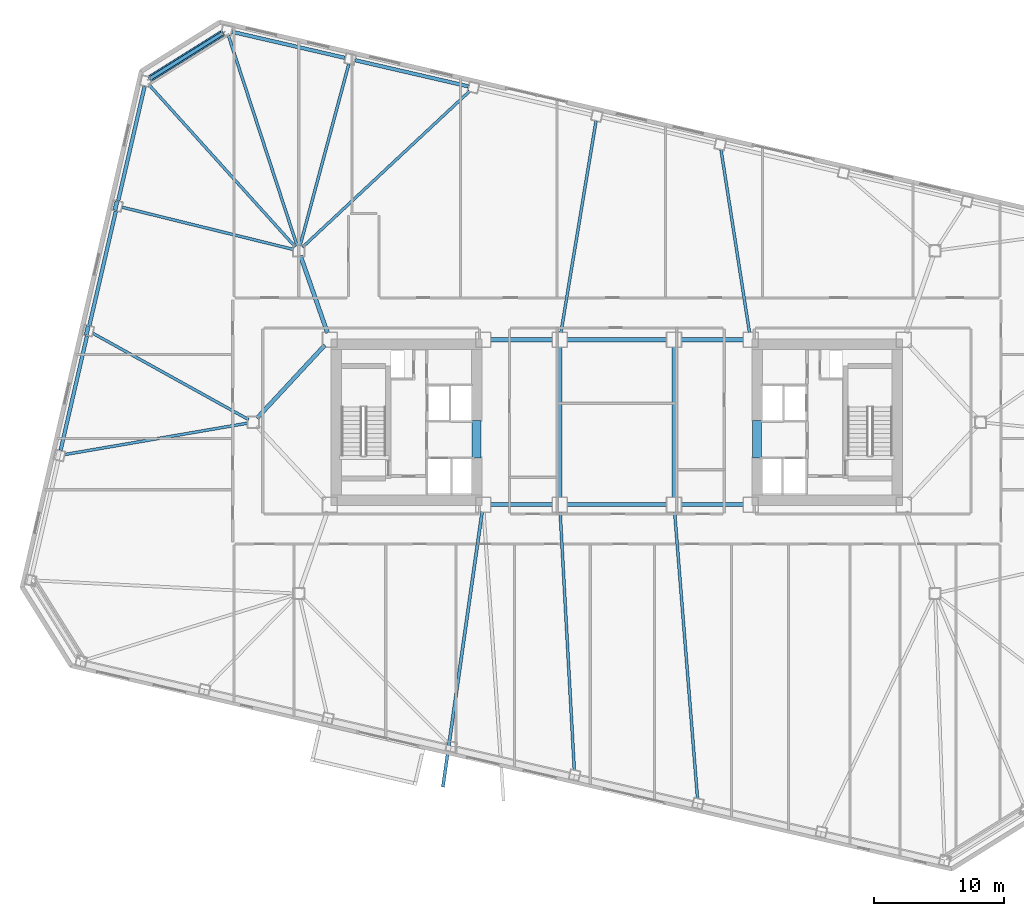
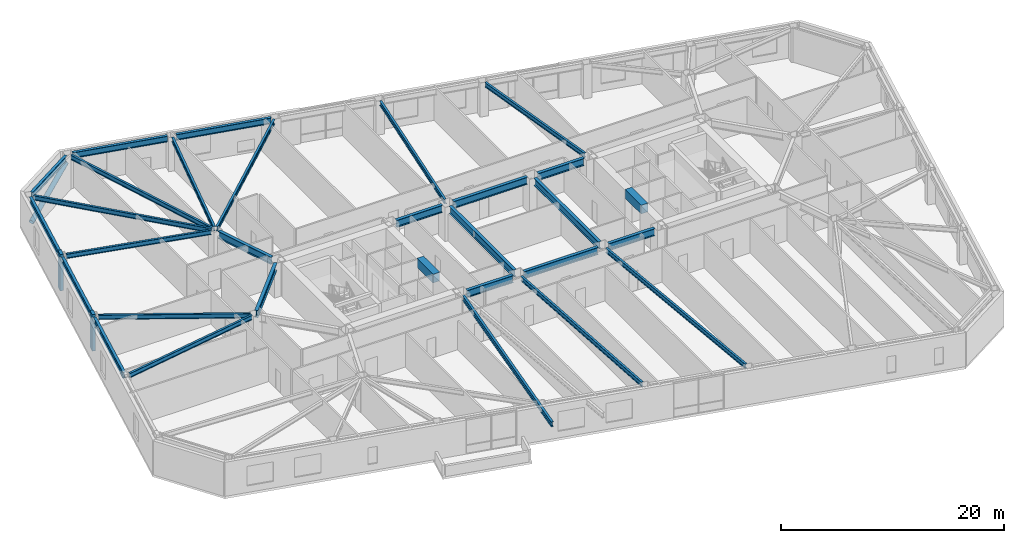
# One storey, part 7 of 22: 30 beams, 3 members.
"""IFC4 building model written with IfcOpenShell, lengths in metres."""

from ifc_helpers import new_model, si_unit, direction, frame, origin, origin_2d, place, context, subcontext, project, spatial, rectangle, hollow_circle, i_section, extrude, material, material_profile, profile_set, type_object, element, save


model = new_model("IFC4")

# Units and contexts
model_context = context("Model", 3, precision=1e-05, world=origin(), true_north=direction((0.0, 1.0)))
body_context = subcontext(model_context, "Body", "Model", "MODEL_VIEW")
ifc_project = project(units=[si_unit("LENGTHUNIT", "METRE"), si_unit("AREAUNIT", "SQUARE_METRE"), si_unit("VOLUMEUNIT", "CUBIC_METRE"), si_unit("PLANEANGLEUNIT", "RADIAN"), si_unit("MASSUNIT", "GRAM", prefix="KILO")], contexts=[model_context])

# Site, building, storey
site_placement = place(None, origin())
site = spatial("IfcSite", under=ifc_project, at=site_placement, CompositionType="ELEMENT")
building_placement = place(site_placement, origin())
building = spatial("IfcBuilding", under=site, at=building_placement, Name="Tavrogorsk Clinical Tower", CompositionType="ELEMENT")
storey_placement = place(building_placement, frame((0.0, 0.0, 55.39990234375)))
storey = spatial("IfcBuildingStorey", under=building, at=storey_placement, Name="L11", CompositionType="ELEMENT", Elevation=55.39990234375)

# Beams
ifc_material_1 = material(Name="Concrete B80", Category="concrete")
ifc_material_profile_1 = material_profile(ifc_material_1, rectangle(XDim=0.699951171875, YDim=0.949951171875, at=origin_2d()), Name="RC-CB-700x950")
ifc_profile_set_1 = profile_set([ifc_material_profile_1], Name="Concrete B80")
beam_type_1 = type_object("IfcBeamType", Name="CouplingBeam_RC700x950", PredefinedType="LINTEL", material=ifc_profile_set_1)
for number, where, z_axis, x_axis, name in (
    (1, (-10.800048828125, -2.75, 3.26513671875), (0.0, 1.0, 0.0), (-1.0, 0.0, 0.0), "L11 Core West Coupling Beam"),
    (2, (10.800048828125, -2.75, 3.26513671875), (0.0, 1.0, 0.0), (-1.0, 0.0, 0.0), "L11 Core East Coupling Beam"),
):
    element("IfcBeam", number, at=place(storey_placement, frame(where, z_axis=z_axis, x_axis=x_axis)), inside=storey, type_object=beam_type_1, Name=name, PredefinedType="LINTEL", context=body_context, shape_type="SweptSolid", body=[
        extrude(rectangle(XDim=0.699951171875, YDim=0.949951171875, at=origin_2d()), origin(), (0.0, 0.0, 1.0), 2.89990234375),
    ])

# Member
ifc_material_2 = material(Name="Structural steel S440", Category="steel")
ifc_material_profile_2 = material_profile(ifc_material_2, hollow_circle(Radius=0.25390625, WallThickness=0.02001953125, at=origin_2d()), Name="CHS-508x20")
ifc_profile_set_2 = profile_set([ifc_material_profile_2], Name="Structural steel S440")
member_type_1 = type_object("IfcMemberType", Name="ExoBrace_CHS508", PredefinedType="BRACE", material=ifc_profile_set_2)
member_placement = place(storey_placement, frame((-35.951904296875, 26.46240234375, 0.442626953125), z_axis=(0.794678685861, 0.496570017703, 0.349147538667), x_axis=(-0.529919005048, 0.848048258113, 0.0)))
element("IfcMember", 3, at=member_placement, inside=storey, type_object=member_type_1, Name="L11 Corner Exoskeleton Brace N8-W1", PredefinedType="BRACE", context=body_context, shape_type="SweptSolid", body=[
    extrude(hollow_circle(Radius=0.25390625, WallThickness=0.02001953125, at=origin_2d()), origin(), (0.0, 0.0, 1.0), 7.03173828125),
])

# Beams
ifc_material_3 = material(Name="Structural steel S355", Category="steel")
ifc_material_profile_3 = material_profile(ifc_material_3, i_section(OverallWidth=0.219970703125, OverallDepth=0.5, WebThickness=0.012939453125, FlangeThickness=0.02001953125, at=origin_2d()), Name="B-500x220x13x20")
ifc_profile_set_3 = profile_set([ifc_material_profile_3], Name="Structural steel S355")
beam_type_2 = type_object("IfcBeamType", Name="FloorBeam_B500", PredefinedType="BEAM", material=ifc_profile_set_3)
beam_1_placement = place(storey_placement, frame((-4.369384765625, -6.9091796875, 3.489990234375), z_axis=(0.054826938013, -0.998495872234, 0.0), x_axis=(0.998495872234, 0.054826938013, 0.0)))
element("IfcBeam", 4, at=beam_1_placement, inside=storey, type_object=beam_type_2, Name="L11 Radial Floor Beam S5", PredefinedType="BEAM", context=body_context, shape_type="SweptSolid", body=[
    extrude(i_section(OverallWidth=0.219970703125, OverallDepth=0.5, WebThickness=0.012939453125, FlangeThickness=0.02001953125, at=origin_2d()), origin(), (0.0, 0.0, 1.0), 19.891357421875),
])
beam_2_placement = place(storey_placement, frame((4.444580078125, -6.908203125, 3.489990234375), z_axis=(0.079775043579, -0.996812892384, 0.0), x_axis=(0.996812892384, 0.079775043579, 0.0)))
element("IfcBeam", 5, at=beam_2_placement, inside=storey, type_object=beam_type_2, Name="L11 Radial Floor Beam S6", PredefinedType="BEAM", context=body_context, shape_type="SweptSolid", body=[
    extrude(i_section(OverallWidth=0.219970703125, OverallDepth=0.5, WebThickness=0.012939453125, FlangeThickness=0.02001953125, at=origin_2d()), origin(), (0.0, 0.0, 1.0), 22.12646484375),
])
beam_3_placement = place(storey_placement, frame((10.213623046875, 6.9033203125, 3.489990234375), z_axis=(-0.154089917001, 0.988056829073, 0.0), x_axis=(-0.988056829073, -0.154089917001, 0.0)))
element("IfcBeam", 6, at=beam_3_placement, inside=storey, type_object=beam_type_2, Name="L11 Radial Floor Beam N4", PredefinedType="BEAM", context=body_context, shape_type="SweptSolid", body=[
    extrude(i_section(OverallWidth=0.219970703125, OverallDepth=0.5, WebThickness=0.012939453125, FlangeThickness=0.02001953125, at=origin_2d()), origin(), (0.0, 0.0, 1.0), 14.24853515625),
])
beam_4_placement = place(storey_placement, frame((-4.308349609375, 6.90234375, 3.489990234375), z_axis=(0.163563683006, 0.986532777763, 0.0), x_axis=(-0.986532777763, 0.163563683006, 0.0)))
element("IfcBeam", 7, at=beam_4_placement, inside=storey, type_object=beam_type_2, Name="L11 Radial Floor Beam N5", PredefinedType="BEAM", context=body_context, shape_type="SweptSolid", body=[
    extrude(i_section(OverallWidth=0.219970703125, OverallDepth=0.5, WebThickness=0.012939453125, FlangeThickness=0.02001953125, at=origin_2d()), origin(), (0.0, 0.0, 1.0), 16.4951171875),
])
beam_5_placement = place(storey_placement, frame((-24.200439453125, 13.47998046875, 3.489990234375), z_axis=(0.730781163302, 0.682611816015, 0.0), x_axis=(-0.682611816015, 0.730781163302, 0.0)))
element("IfcBeam", 8, at=beam_5_placement, inside=storey, type_object=beam_type_2, Name="L11 Radial Floor Beam N6", PredefinedType="BEAM", context=body_context, shape_type="SweptSolid", body=[
    extrude(i_section(OverallWidth=0.219970703125, OverallDepth=0.5, WebThickness=0.012939453125, FlangeThickness=0.02001953125, at=origin_2d()), origin(), (0.0, 0.0, 1.0), 17.597412109375),
])
beam_6_placement = place(storey_placement, frame((-24.393798828125, 13.595947265625, 3.489990234375), z_axis=(0.25900262632, 0.965876617151, 0.0), x_axis=(-0.965876617151, 0.25900262632, 0.0)))
element("IfcBeam", 9, at=beam_6_placement, inside=storey, type_object=beam_type_2, Name="L11 Radial Floor Beam N7", PredefinedType="BEAM", context=body_context, shape_type="SweptSolid", body=[
    extrude(i_section(OverallWidth=0.219970703125, OverallDepth=0.5, WebThickness=0.012939453125, FlangeThickness=0.02001953125, at=origin_2d()), origin(), (0.0, 0.0, 1.0), 14.46728515625),
])
beam_7_placement = place(storey_placement, frame((-24.62744140625, 13.58984375, 3.489990234375), z_axis=(-0.310546210819, 0.950558283824, 0.0), x_axis=(-0.950558283824, -0.310546210819, 0.0)))
element("IfcBeam", 10, at=beam_7_placement, inside=storey, type_object=beam_type_2, Name="L11 Radial Floor Beam N8", PredefinedType="BEAM", context=body_context, shape_type="SweptSolid", body=[
    extrude(i_section(OverallWidth=0.219970703125, OverallDepth=0.5, WebThickness=0.012939453125, FlangeThickness=0.02001953125, at=origin_2d()), origin(), (0.0, 0.0, 1.0), 17.0205078125),
])
beam_8_placement = place(storey_placement, frame((-24.774658203125, 13.50439453125, 3.489990234375), z_axis=(-0.669660294237, 0.742667550337, 0.0), x_axis=(-0.742667550337, -0.669660294237, 0.0)))
element("IfcBeam", 11, at=beam_8_placement, inside=storey, type_object=beam_type_2, Name="L11 Radial Floor Beam W1", PredefinedType="BEAM", context=body_context, shape_type="SweptSolid", body=[
    extrude(i_section(OverallWidth=0.219970703125, OverallDepth=0.5, WebThickness=0.012939453125, FlangeThickness=0.02001953125, at=origin_2d()), origin(), (0.0, 0.0, 1.0), 16.76708984375),
])
beam_9_placement = place(storey_placement, frame((-24.89794921875, 13.298095703125, 3.489990234375), z_axis=(-0.970889910259, 0.23952616174, 0.0), x_axis=(-0.23952616174, -0.970889910259, 0.0)))
element("IfcBeam", 12, at=beam_9_placement, inside=storey, type_object=beam_type_2, Name="L11 Radial Floor Beam W2", PredefinedType="BEAM", context=body_context, shape_type="SweptSolid", body=[
    extrude(i_section(OverallWidth=0.219970703125, OverallDepth=0.5, WebThickness=0.012939453125, FlangeThickness=0.02001953125, at=origin_2d()), origin(), (0.0, 0.0, 1.0), 13.595947265625),
])
beam_10_placement = place(storey_placement, frame((-28.358642578125, 0.19873046875, 3.489990234375), z_axis=(-0.874654711976, 0.484746464472, 0.0), x_axis=(-0.484746464472, -0.874654711976, 0.0)))
element("IfcBeam", 13, at=beam_10_placement, inside=storey, type_object=beam_type_2, Name="L11 Radial Floor Beam W3", PredefinedType="BEAM", context=body_context, shape_type="SweptSolid", body=[
    extrude(i_section(OverallWidth=0.219970703125, OverallDepth=0.5, WebThickness=0.012939453125, FlangeThickness=0.02001953125, at=origin_2d()), origin(), (0.0, 0.0, 1.0), 13.7158203125),
])
beam_11_placement = place(storey_placement, frame((-28.404052734375, -0.0693359375, 3.489990234375), z_axis=(-0.985592408786, -0.169137824698, 0.0), x_axis=(0.169137824698, -0.985592408786, 0.0)))
element("IfcBeam", 14, at=beam_11_placement, inside=storey, type_object=beam_type_2, Name="L11 Radial Floor Beam W4", PredefinedType="BEAM", context=body_context, shape_type="SweptSolid", body=[
    extrude(i_section(OverallWidth=0.219970703125, OverallDepth=0.5, WebThickness=0.012939453125, FlangeThickness=0.02001953125, at=origin_2d()), origin(), (0.0, 0.0, 1.0), 14.33056640625),
])

# Members
ifc_material_4 = material(Name="Precast concrete B45 with limestone cladding", Category="masonry")
ifc_material_profile_4 = material_profile(ifc_material_4, rectangle(XDim=0.320068359375, YDim=0.719970703125, at=origin_2d()), Name="LIMESTONE-FIN-320x720")
ifc_profile_set_4 = profile_set([ifc_material_profile_4], Name="Precast concrete B45 with limestone cladding")
member_type_2 = type_object("IfcMemberType", Name="LimestonePleatFin_320x720", PredefinedType="USERDEFINED", material=ifc_profile_set_4)
for number, where, z_axis, x_axis, name in (
    (15, (-38.572265625, 16.67041015625, 0.0), (0.0, 0.0, 1.0), (0.974370064785, -0.224951054344, 0.0), "L11 W Pleated Stone Fin 1"),
    (16, (-40.7900390625, 7.06298828125, 0.0), (0.0, 0.0, 1.0), (0.974370064785, -0.224951054344, 0.0), "L11 W Pleated Stone Fin 2"),
):
    element("IfcMember", number, at=place(storey_placement, frame(where, z_axis=z_axis, x_axis=x_axis)), inside=storey, type_object=member_type_2, Name=name, ObjectType="FIN", PredefinedType="USERDEFINED", context=body_context, shape_type="SweptSolid", body=[
        extrude(rectangle(XDim=0.320068359375, YDim=0.719970703125, at=origin_2d()), origin(), (0.0, 0.0, 1.0), 4.0),
    ])

# Beams
ifc_material_5 = material(Name="Structural steel S390", Category="steel")
ifc_material_profile_5 = material_profile(ifc_material_5, i_section(OverallWidth=0.320068359375, OverallDepth=0.800048828125, WebThickness=0.02001953125, FlangeThickness=0.033935546875, at=origin_2d()), Name="B-800x320x20x34")
ifc_profile_set_5 = profile_set([ifc_material_profile_5], Name="Structural steel S390")
beam_type_3 = type_object("IfcBeamType", Name="PrimaryGirder_B800", PredefinedType="USERDEFINED", material=ifc_profile_set_5)
for number, where, z_axis, x_axis, name in (
    (17, (-9.739990234375, -6.35009765625, 3.340087890625), (1.0, 0.0, 0.0), (0.0, 1.0, 0.0), "L11 Primary Spine Girder MG-01"),
    (18, (-9.739990234375, 6.35009765625, 3.340087890625), (1.0, 0.0, 0.0), (0.0, 1.0, 0.0), "L11 Primary Spine Girder MG-02"),
):
    element("IfcBeam", number, at=place(storey_placement, frame(where, z_axis=z_axis, x_axis=x_axis)), inside=storey, type_object=beam_type_3, Name=name, ObjectType="GIRDER", PredefinedType="USERDEFINED", context=body_context, shape_type="SweptSolid", body=[
        extrude(i_section(OverallWidth=0.320068359375, OverallDepth=0.800048828125, WebThickness=0.02001953125, FlangeThickness=0.033935546875, at=origin_2d()), origin(), (0.0, 0.0, 1.0), 4.780029296875),
    ])
for number, where, z_axis, x_axis, name in (
    (19, (-3.840087890625, -6.35009765625, 3.340087890625), (1.0, 0.0, 0.0), (0.0, 1.0, 0.0), "L11 Primary Spine Girder MG-03"),
    (20, (-3.840087890625, 6.35009765625, 3.340087890625), (1.0, 0.0, 0.0), (0.0, 1.0, 0.0), "L11 Primary Spine Girder MG-04"),
):
    element("IfcBeam", number, at=place(storey_placement, frame(where, z_axis=z_axis, x_axis=x_axis)), inside=storey, type_object=beam_type_3, Name=name, ObjectType="GIRDER", PredefinedType="USERDEFINED", context=body_context, shape_type="SweptSolid", body=[
        extrude(i_section(OverallWidth=0.320068359375, OverallDepth=0.800048828125, WebThickness=0.02001953125, FlangeThickness=0.033935546875, at=origin_2d()), origin(), (0.0, 0.0, 1.0), 7.68017578125),
    ])
for number, where, z_axis, x_axis, name in (
    (21, (4.9599609375, -6.35009765625, 3.340087890625), (1.0, 0.0, 0.0), (0.0, 1.0, 0.0), "L11 Primary Spine Girder MG-05"),
    (22, (4.9599609375, 6.35009765625, 3.340087890625), (1.0, 0.0, 0.0), (0.0, 1.0, 0.0), "L11 Primary Spine Girder MG-06"),
):
    element("IfcBeam", number, at=place(storey_placement, frame(where, z_axis=z_axis, x_axis=x_axis)), inside=storey, type_object=beam_type_3, Name=name, ObjectType="GIRDER", PredefinedType="USERDEFINED", context=body_context, shape_type="SweptSolid", body=[
        extrude(i_section(OverallWidth=0.320068359375, OverallDepth=0.800048828125, WebThickness=0.02001953125, FlangeThickness=0.033935546875, at=origin_2d()), origin(), (0.0, 0.0, 1.0), 4.780029296875),
    ])
for number, where, z_axis, x_axis, name in (
    (23, (-4.39990234375, -5.7900390625, 3.340087890625), (0.0, 1.0, 0.0), (-1.0, 0.0, 0.0), "L11 Primary Spine Girder MG-07"),
    (24, (4.39990234375, -5.7900390625, 3.340087890625), (0.0, 1.0, 0.0), (-1.0, 0.0, 0.0), "L11 Primary Spine Girder MG-08"),
):
    element("IfcBeam", number, at=place(storey_placement, frame(where, z_axis=z_axis, x_axis=x_axis)), inside=storey, type_object=beam_type_3, Name=name, ObjectType="GIRDER", PredefinedType="USERDEFINED", context=body_context, shape_type="SweptSolid", body=[
        extrude(i_section(OverallWidth=0.320068359375, OverallDepth=0.800048828125, WebThickness=0.02001953125, FlangeThickness=0.033935546875, at=origin_2d()), origin(), (0.0, 0.0, 1.0), 11.580078125),
    ])
beam_12_placement = place(storey_placement, frame((-24.364501953125, 12.81298828125, 3.340087890625), z_axis=(0.330668611543, -0.943746930771, 0.0), x_axis=(0.943746930771, 0.330668611543, 0.0)))
element("IfcBeam", 25, at=beam_12_placement, inside=storey, type_object=beam_type_3, Name="L11 Spine Link Girder OPG-3", ObjectType="GIRDER", PredefinedType="USERDEFINED", context=body_context, shape_type="SweptSolid", body=[
    extrude(i_section(OverallWidth=0.320068359375, OverallDepth=0.800048828125, WebThickness=0.02001953125, FlangeThickness=0.033935546875, at=origin_2d()), origin(), (0.0, 0.0, 1.0), 6.288330078125),
])
beam_13_placement = place(storey_placement, frame((-27.720947265625, 0.30029296875, 3.340087890625), z_axis=(0.680671250221, 0.732589004233, 0.0), x_axis=(-0.732589004233, 0.680671250221, 0.0)))
element("IfcBeam", 26, at=beam_13_placement, inside=storey, type_object=beam_type_3, Name="L11 Spine Link Girder OPG-6", ObjectType="GIRDER", PredefinedType="USERDEFINED", context=body_context, shape_type="SweptSolid", body=[
    extrude(i_section(OverallWidth=0.320068359375, OverallDepth=0.800048828125, WebThickness=0.02001953125, FlangeThickness=0.033935546875, at=origin_2d()), origin(), (0.0, 0.0, 1.0), 7.697998046875),
])
ifc_material_6 = material(Name="Structural steel S390", Category="steel")
ifc_material_profile_6 = material_profile(ifc_material_6, i_section(OverallWidth=0.239990234375, OverallDepth=0.550048828125, WebThickness=0.013916015625, FlangeThickness=0.02197265625, at=origin_2d()), Name="B-550x240x14x22")
ifc_profile_set_6 = profile_set([ifc_material_profile_6], Name="Structural steel S390")
beam_type_4 = type_object("IfcBeamType", Name="SpandrelBeam_B550", PredefinedType="SPANDREL", material=ifc_profile_set_6)
beam_14_placement = place(storey_placement, frame((-10.37890625, -6.904296875, 3.445068359375), z_axis=(-0.141023828005, -0.990006201968, 0.0), x_axis=(0.990006201968, -0.141023828005, 0.0)))
element("IfcBeam", 27, at=beam_14_placement, inside=storey, type_object=beam_type_4, Name="L12 Spiral Terrace Cantilever Beam 1", PredefinedType="SPANDREL", context=body_context, shape_type="SweptSolid", body=[
    extrude(i_section(OverallWidth=0.239990234375, OverallDepth=0.550048828125, WebThickness=0.013916015625, FlangeThickness=0.02197265625, at=origin_2d()), origin(), (0.0, 0.0, 1.0), 21.40966796875),
])
ifc_material_7 = material(Name="Structural steel S390", Category="steel")
ifc_material_profile_7 = material_profile(ifc_material_7, i_section(OverallWidth=0.280029296875, OverallDepth=0.64990234375, WebThickness=0.01611328125, FlangeThickness=0.02490234375, at=origin_2d()), Name="B-650x280x16x25")
ifc_profile_set_7 = profile_set([ifc_material_profile_7], Name="Structural steel S390")
beam_type_5 = type_object("IfcBeamType", Name="SpandrelBeam_B650", PredefinedType="SPANDREL", material=ifc_profile_set_7)
for number, where, z_axis, x_axis, name in (
    (28, (-11.43994140625, 25.862548828125, 3.4150390625), (-0.974372766602, 0.224939351168, 0.0), (-0.224939351168, -0.974372766602, 0.0), "L11 Perimeter Spandrel N6-N7"),
    (29, (-20.9384765625, 28.055419921875, 3.4150390625), (-0.974366775889, 0.224965299645, 0.0), (-0.224965299645, -0.974366775889, 0.0), "L11 Perimeter Spandrel N7-N8"),
):
    element("IfcBeam", number, at=place(storey_placement, frame(where, z_axis=z_axis, x_axis=x_axis)), inside=storey, type_object=beam_type_5, Name=name, PredefinedType="SPANDREL", context=body_context, shape_type="SweptSolid", body=[
        extrude(i_section(OverallWidth=0.280029296875, OverallDepth=0.64990234375, WebThickness=0.01611328125, FlangeThickness=0.02490234375, at=origin_2d()), origin(), (0.0, 0.0, 1.0), 8.9326171875),
    ])
beam_15_placement = place(storey_placement, frame((-30.3857421875, 29.9404296875, 3.4150390625), z_axis=(-0.848044454239, -0.529925092475, 0.0), x_axis=(0.529925092475, -0.848044454239, 0.0)))
element("IfcBeam", 30, at=beam_15_placement, inside=storey, type_object=beam_type_5, Name="L11 Perimeter Spandrel N8-W1", PredefinedType="SPANDREL", context=body_context, shape_type="SweptSolid", body=[
    extrude(i_section(OverallWidth=0.280029296875, OverallDepth=0.64990234375, WebThickness=0.01611328125, FlangeThickness=0.02490234375, at=origin_2d()), origin(), (0.0, 0.0, 1.0), 6.537841796875),
])
beam_16_placement = place(storey_placement, frame((-36.367919921875, 25.862060546875, 3.4150390625), z_axis=(-0.224952169462, -0.974369807339, 0.0), x_axis=(0.974369807339, -0.224952169462, 0.0)))
element("IfcBeam", 31, at=beam_16_placement, inside=storey, type_object=beam_type_5, Name="L11 Perimeter Spandrel W1-W2", PredefinedType="SPANDREL", context=body_context, shape_type="SweptSolid", body=[
    extrude(i_section(OverallWidth=0.280029296875, OverallDepth=0.64990234375, WebThickness=0.01611328125, FlangeThickness=0.02490234375, at=origin_2d()), origin(), (0.0, 0.0, 1.0), 9.043701171875),
])
beam_17_placement = place(storey_placement, frame((-38.5859375, 16.2548828125, 3.4150390625), z_axis=(-0.224946252597, -0.974371173343, 0.0), x_axis=(0.974371173343, -0.224946252597, 0.0)))
element("IfcBeam", 32, at=beam_17_placement, inside=storey, type_object=beam_type_5, Name="L11 Perimeter Spandrel W2-W3", PredefinedType="SPANDREL", context=body_context, shape_type="SweptSolid", body=[
    extrude(i_section(OverallWidth=0.280029296875, OverallDepth=0.64990234375, WebThickness=0.01611328125, FlangeThickness=0.02490234375, at=origin_2d()), origin(), (0.0, 0.0, 1.0), 9.0439453125),
])
beam_18_placement = place(storey_placement, frame((-40.803955078125, 6.6474609375, 3.4150390625), z_axis=(-0.224952169462, -0.974369807339, 0.0), x_axis=(0.974369807339, -0.224952169462, 0.0)))
element("IfcBeam", 33, at=beam_18_placement, inside=storey, type_object=beam_type_5, Name="L11 Perimeter Spandrel W3-W4", PredefinedType="SPANDREL", context=body_context, shape_type="SweptSolid", body=[
    extrude(i_section(OverallWidth=0.280029296875, OverallDepth=0.64990234375, WebThickness=0.01611328125, FlangeThickness=0.02490234375, at=origin_2d()), origin(), (0.0, 0.0, 1.0), 9.043701171875),
])

save(model, "model.ifc")
